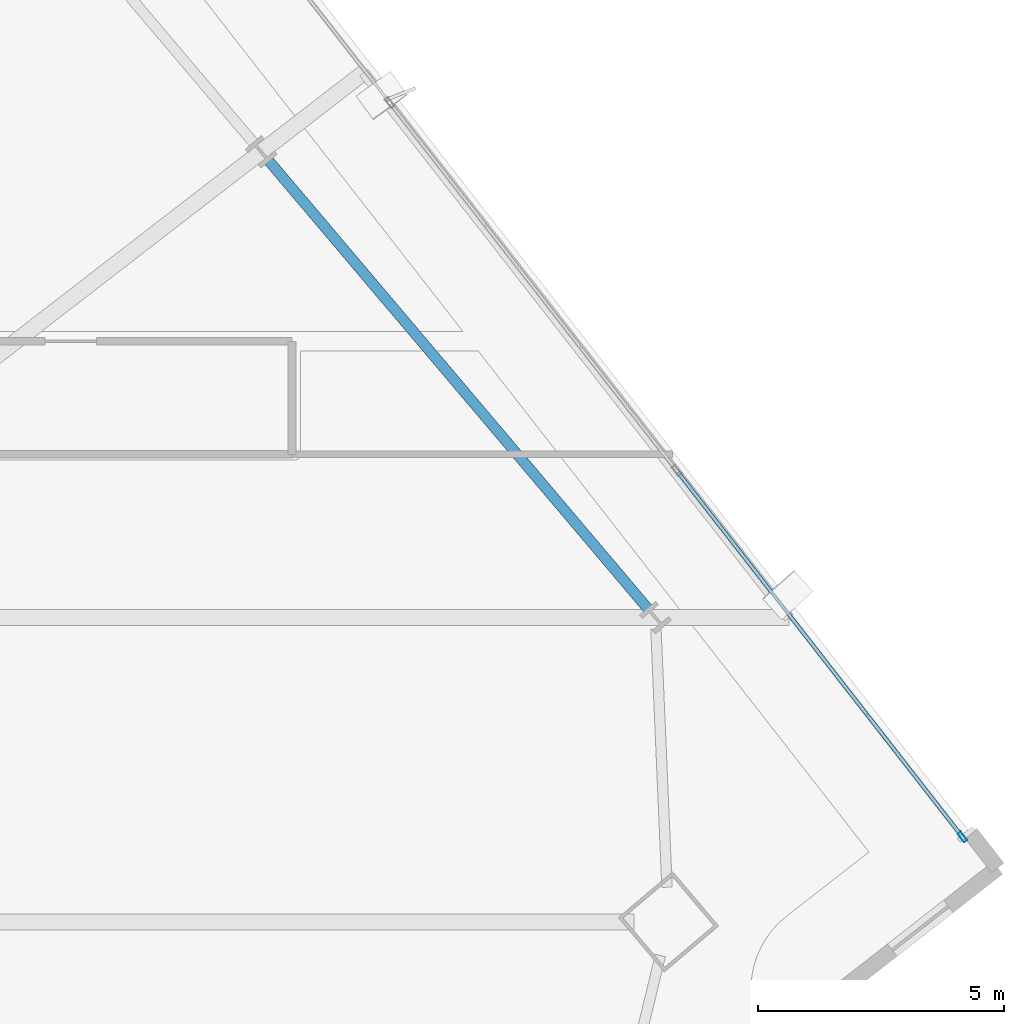
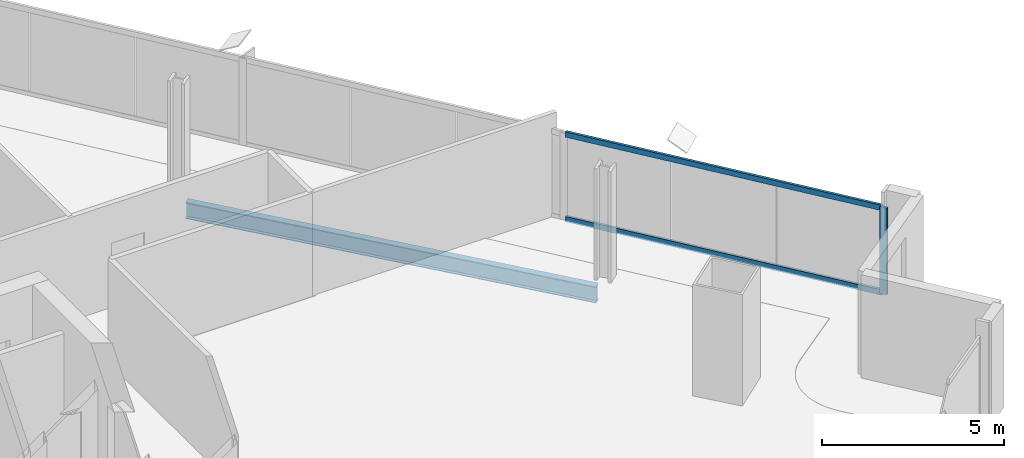
# One storey, part 18 of 32: 3 members, 1 beam, 1 element without a shape of its own.
"""IFC4 building model written with IfcOpenShell, lengths in metres."""

from ifc_helpers import new_model, si_unit, direction, frame, origin, origin_2d, place, context, subcontext, project, spatial, hollow_rectangle, i_section, extrude, material, material_profile, profile_set, type_object, element, aggregate, save


model = new_model("IFC4")

# Units and contexts
model_context = context("Model", 3, precision=1e-05, world=origin(), true_north=direction((0.0, 1.0)))
body_context = subcontext(model_context, "Body", "Model", "MODEL_VIEW")
ifc_project = project(units=[si_unit("LENGTHUNIT", "METRE"), si_unit("AREAUNIT", "SQUARE_METRE"), si_unit("VOLUMEUNIT", "CUBIC_METRE"), si_unit("PLANEANGLEUNIT", "RADIAN"), si_unit("MASSUNIT", "GRAM", prefix="KILO")], contexts=[model_context])

# Site, building, storey
site_placement = place(None, origin())
site = spatial("IfcSite", under=ifc_project, at=site_placement, CompositionType="ELEMENT")
building_placement = place(site_placement, origin())
building = spatial("IfcBuilding", under=site, at=building_placement, Name="Haldenkirk Collegiate Tower", CompositionType="ELEMENT")
storey_placement = place(building_placement, frame((0.0, 0.0, 155.699951171875)))
storey = spatial("IfcBuildingStorey", under=building, at=storey_placement, Name="L38", CompositionType="ELEMENT", Elevation=155.699951171875)

# Beam
ifc_material_1 = material(Name="Steel ASTM A992 Grade 50", Category="steel")
ifc_material_profile_1 = material_profile(ifc_material_1, i_section(OverallWidth=0.2119140625, OverallDepth=0.5439453125, WebThickness=0.01318359375, FlangeThickness=0.021240234375, at=origin_2d()), Name="W21X83")
ifc_profile_set_1 = profile_set([ifc_material_profile_1], Name="Steel ASTM A992 Grade 50")
beam_type = type_object("IfcBeamType", Name="BM-SPANDREL-W21X83", PredefinedType="SPANDREL", material=ifc_profile_set_1)
beam_placement = place(storey_placement, frame((61.051513671875, 30.998779296875, -0.56201171875), z_axis=(-0.646116898468, 0.763238464383, 0.0), x_axis=(-0.763238464383, -0.646116898468, 0.0)))
element("IfcBeam", 1, at=beam_placement, inside=storey, type_object=beam_type, Name="L38 perimeter spandrel beam 06", PredefinedType="SPANDREL", context=body_context, shape_type="SweptSolid", body=[
    extrude(i_section(OverallWidth=0.2119140625, OverallDepth=0.5439453125, WebThickness=0.01318359375, FlangeThickness=0.021240234375, at=origin_2d()), origin(), (0.0, 0.0, 1.0), 11.967041015625),
])

# Curtain wall, members
ifc_material_2 = material(Name="Anodised architectural bronze aluminium", Category="aluminium")
curtain_wall_type = type_object("IfcCurtainWallType", Name="CW-SYS1-CONVEX-LOW", PredefinedType="USERDEFINED", material=ifc_material_2)
curtain_wall_placement = place(storey_placement, origin())
curtain_wall = element("IfcCurtainWall", 2, at=curtain_wall_placement, inside=storey, type_object=curtain_wall_type, Name="L38 Lower tower convex bronze-framed unitised curtain wall", ObjectType="UNITISED CURTAIN WALL", PredefinedType="USERDEFINED")
ifc_material_profile_2 = material_profile(ifc_material_2, hollow_rectangle(XDim=0.080078125, YDim=0.219970703125, WallThickness=0.0048828125, at=origin_2d()), Name="CW-MUL-1A")
ifc_profile_set_2 = profile_set([ifc_material_profile_2], Name="Anodised architectural bronze aluminium")
member_type_1 = type_object("IfcMemberType", Name="CW-MUL-1A", PredefinedType="MULLION", material=ifc_profile_set_2)
member_1_placement = place(storey_placement, frame((67.450927734375, 26.35693359375, 0.0), z_axis=(0.0, 0.0, 1.0), x_axis=(0.788547532235, 0.614973811968, 0.0)))
member_1 = element("IfcMember", 3, at=member_1_placement, type_object=member_type_1, Name="CW-1A mullion 5", PredefinedType="MULLION", context=body_context, shape_type="SweptSolid", body=[
    extrude(hollow_rectangle(XDim=0.080078125, YDim=0.219970703125, WallThickness=0.0048828125, at=origin_2d()), origin(), (0.0, 0.0, 1.0), 2.9111328125),
])
ifc_material_profile_3 = material_profile(ifc_material_2, hollow_rectangle(XDim=0.080078125, YDim=0.179931640625, WallThickness=0.0048828125, at=origin_2d()), Name="CW-TRN-1A")
ifc_profile_set_3 = profile_set([ifc_material_profile_3], Name="Anodised architectural bronze aluminium")
member_type_2 = type_object("IfcMemberType", Name="CW-TRN-1A", PredefinedType="USERDEFINED", material=ifc_profile_set_3)
member_2_placement = place(storey_placement, frame((61.657958984375, 33.78515625, 0.0400390625), z_axis=(0.614956386116, -0.788561122028, 0.0), x_axis=(0.788561122028, 0.614956386116, 0.0)))
member_2 = element("IfcMember", 4, at=member_2_placement, type_object=member_type_2, Name="CW-1A transom 4.1", ObjectType="TRANSOM", PredefinedType="USERDEFINED", context=body_context, shape_type="SweptSolid", body=[
    extrude(hollow_rectangle(XDim=0.080078125, YDim=0.179931640625, WallThickness=0.0048828125, at=origin_2d()), origin(), (0.0, 0.0, 1.0), 9.380126953125),
])
member_3_placement = place(storey_placement, frame((61.657958984375, 33.78515625, 2.87109375), z_axis=(0.614956386116, -0.788561122028, 0.0), x_axis=(0.788561122028, 0.614956386116, 0.0)))
member_3 = element("IfcMember", 5, at=member_3_placement, type_object=member_type_2, Name="CW-1A transom 4.2", ObjectType="TRANSOM", PredefinedType="USERDEFINED", context=body_context, shape_type="SweptSolid", body=[
    extrude(hollow_rectangle(XDim=0.080078125, YDim=0.179931640625, WallThickness=0.0048828125, at=origin_2d()), origin(), (0.0, 0.0, 1.0), 9.380126953125),
])
aggregate(curtain_wall, [member_1, member_2, member_3])

save(model, "model.ifc")
